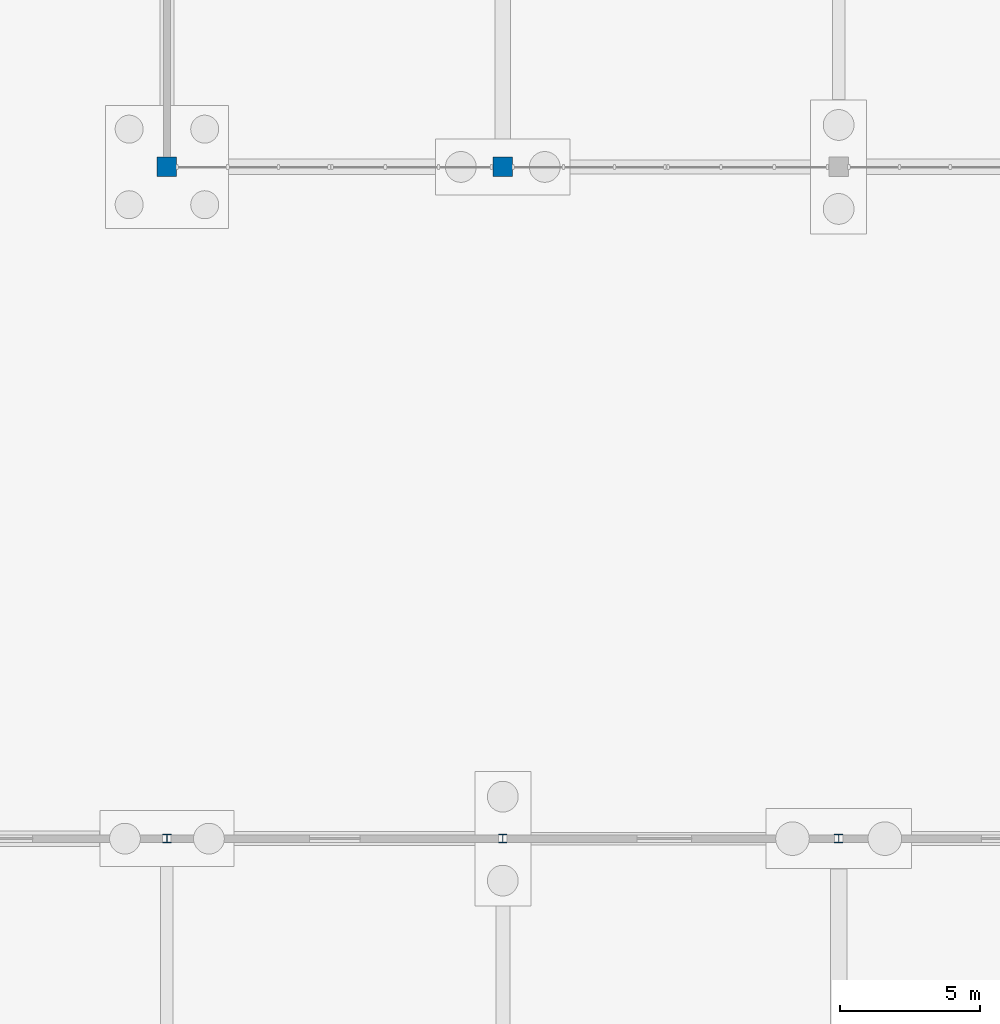
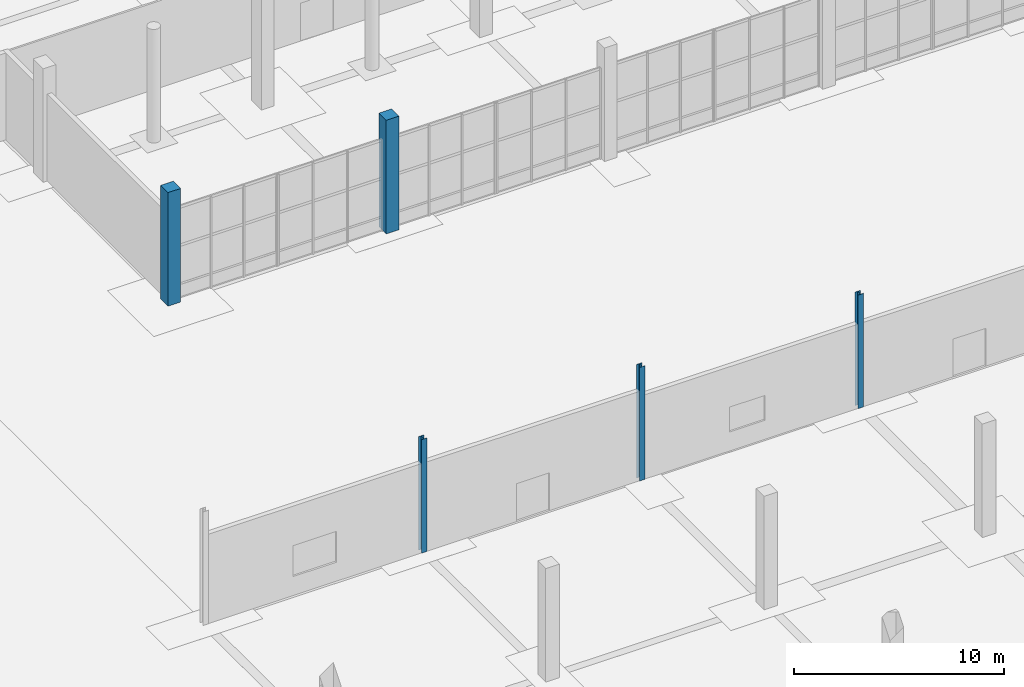
# One storey, part 20 of 117: 5 columns.
"""IFC4 building model written with IfcOpenShell, lengths in metres."""

from ifc_helpers import new_model, si_unit, direction, frame, origin, origin_2d, place, context, subcontext, project, spatial, rectangle, i_section, extrude, material, material_profile, profile_set, type_object, element, save


model = new_model("IFC4")

# Units and contexts
model_context = context("Model", 3, precision=1e-05, world=origin(), true_north=direction((0.0, 1.0)))
body_context = subcontext(model_context, "Body", "Model", "MODEL_VIEW")
ifc_project = project(units=[si_unit("LENGTHUNIT", "METRE"), si_unit("AREAUNIT", "SQUARE_METRE"), si_unit("VOLUMEUNIT", "CUBIC_METRE"), si_unit("PLANEANGLEUNIT", "RADIAN"), si_unit("MASSUNIT", "GRAM", prefix="KILO")], contexts=[model_context])

# Site, building, storey
site_placement = place(None, origin())
site = spatial("IfcSite", under=ifc_project, at=site_placement, CompositionType="ELEMENT")
building_placement = place(site_placement, origin())
building = spatial("IfcBuilding", under=site, at=building_placement, Name="Kamomehara Wholesale Market", CompositionType="ELEMENT")
storey_placement = place(building_placement, origin())
storey = spatial("IfcBuildingStorey", under=building, at=storey_placement, Name="L00", CompositionType="ELEMENT", Elevation=0.0)

# Columns
ifc_material_1 = material(Name="Precast concrete Fc45 (C40/50)", Category="concrete")
ifc_material_profile_1 = material_profile(ifc_material_1, rectangle(XDim=0.699951171875, YDim=0.699951171875, at=origin_2d()), Name="PC-COL-700x700")
ifc_profile_set_1 = profile_set([ifc_material_profile_1], Name="Precast concrete Fc45 (C40/50)")
column_type_1 = type_object("IfcColumnType", Name="COL-PC700-EXT", PredefinedType="COLUMN", material=ifc_profile_set_1)
for number, where, z_axis, x_axis, name in (
    (1, (72.0, 96.0, 0.0), (0.0, 0.0, 1.0), (1.0, 0.0, 0.0), "Column C-05E L00"),
    (2, (84.0, 96.0, 0.0), (0.0, 0.0, 1.0), (1.0, 0.0, 0.0), "Column C-05E L00"),
):
    element("IfcColumn", number, at=place(storey_placement, frame(where, z_axis=z_axis, x_axis=x_axis)), inside=storey, type_object=column_type_1, Name=name, PredefinedType="COLUMN", context=body_context, shape_type="SweptSolid", body=[
        extrude(rectangle(XDim=0.699951171875, YDim=0.699951171875, at=origin_2d()), origin(), (0.0, 0.0, 1.0), 6.60009765625),
    ])
ifc_material_2 = material(Name="Steel SN490B", Category="steel")
ifc_material_profile_2 = material_profile(ifc_material_2, i_section(OverallWidth=0.300048828125, OverallDepth=0.300048828125, WebThickness=0.010009765625, FlangeThickness=0.014892578125, FilletRadius=0.012939453125, at=origin_2d()), Name="H-300x300x10x15")
ifc_profile_set_2 = profile_set([ifc_material_profile_2], Name="Steel SN490B")
column_type_2 = type_object("IfcColumnType", Name="COL-ST-H300", PredefinedType="COLUMN", material=ifc_profile_set_2)
for number, where, z_axis, x_axis, name in (
    (3, (72.0, 72.0, 0.0), (0.0, 0.0, 1.0), (1.0, 0.0, 0.0), "Column CS-03 L00"),
    (4, (84.0, 72.0, 0.0), (0.0, 0.0, 1.0), (1.0, 0.0, 0.0), "Column CS-03 L00"),
    (5, (96.0, 72.0, 0.0), (0.0, 0.0, 1.0), (1.0, 0.0, 0.0), "Column CS-03 L00"),
):
    element("IfcColumn", number, at=place(storey_placement, frame(where, z_axis=z_axis, x_axis=x_axis)), inside=storey, type_object=column_type_2, Name=name, PredefinedType="COLUMN", context=body_context, shape_type="SweptSolid", body=[
        extrude(i_section(OverallWidth=0.300048828125, OverallDepth=0.300048828125, WebThickness=0.010009765625, FlangeThickness=0.014892578125, FilletRadius=0.012939453125, at=origin_2d()), origin(), (0.0, 0.0, 1.0), 6.60009765625),
    ])

save(model, "model.ifc")
